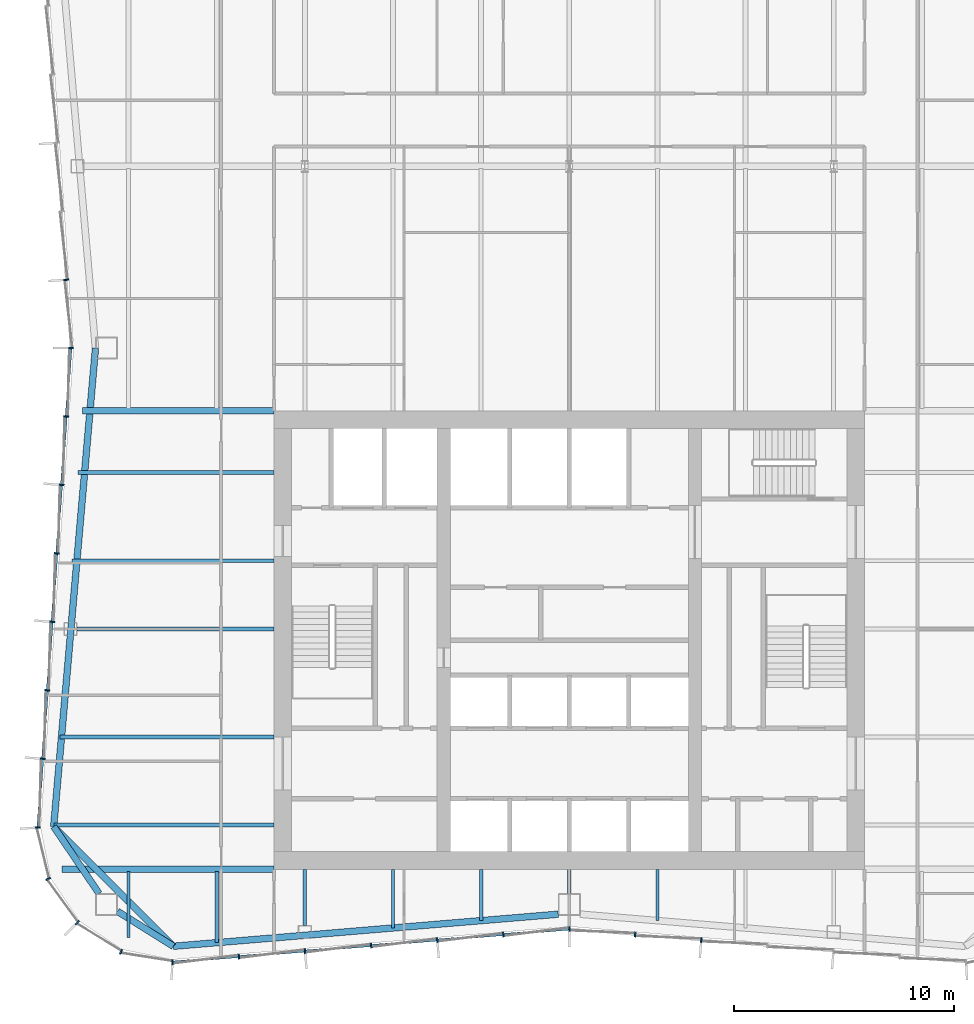
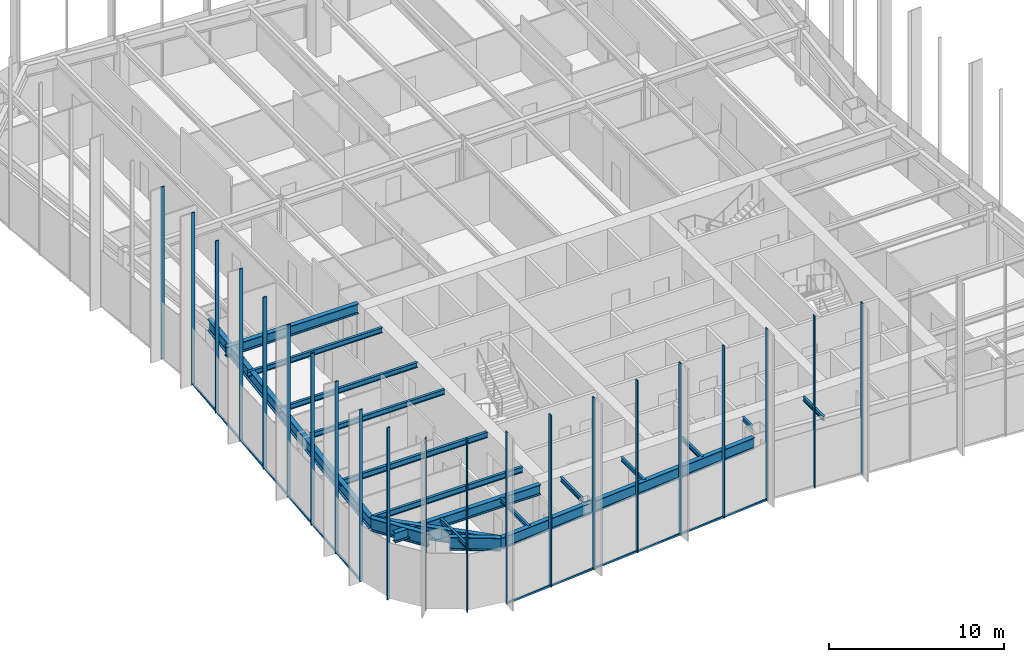
# One storey, part 3 of 15: 23 members, 19 beams, 3 elements without a shape of their own.
"""IFC4 building model written with IfcOpenShell, lengths in metres."""

from ifc_helpers import new_model, si_unit, direction, frame, origin, origin_2d, place, context, subcontext, project, spatial, rectangle, i_section, extrude, material, material_profile, profile_set, type_object, element, aggregate, save


model = new_model("IFC4")

# Units and contexts
model_context = context("Model", 3, precision=1e-05, world=origin(), true_north=direction((0.0, 1.0)))
body_context = subcontext(model_context, "Body", "Model", "MODEL_VIEW")
ifc_project = project(units=[si_unit("LENGTHUNIT", "METRE"), si_unit("AREAUNIT", "SQUARE_METRE"), si_unit("VOLUMEUNIT", "CUBIC_METRE"), si_unit("PLANEANGLEUNIT", "RADIAN"), si_unit("MASSUNIT", "GRAM", prefix="KILO")], contexts=[model_context])

# Site, building, storey
site_placement = place(None, origin())
site = spatial("IfcSite", under=ifc_project, at=site_placement, CompositionType="ELEMENT")
building_placement = place(site_placement, origin())
building = spatial("IfcBuilding", under=site, at=building_placement, Name="Verdant Reach Tower", CompositionType="ELEMENT")
storey_placement = place(building_placement, frame((0.0, 0.0, 250.0)))
storey = spatial("IfcBuildingStorey", under=building, at=storey_placement, Name="L57", CompositionType="ELEMENT", Elevation=250.0)

# Curtain wall, members
ifc_material_1 = material(Name="Anodised aluminium", Category="aluminium")
curtain_wall_type = type_object("IfcCurtainWallType", Name="EN-CW SYSTEM Z4", PredefinedType="NOTDEFINED", material=ifc_material_1)
curtain_wall_1_placement = place(storey_placement, origin())
curtain_wall_1 = element("IfcCurtainWall", 1, at=curtain_wall_1_placement, inside=storey, type_object=curtain_wall_type, Name="Curtain wall west, L57", PredefinedType="NOTDEFINED")
ifc_material_profile_1 = material_profile(ifc_material_1, rectangle(XDim=0.22412109375, YDim=0.068115234375, at=origin_2d()), Name="Mullion 68x224")
ifc_profile_set_1 = profile_set([ifc_material_profile_1], Name="Anodised aluminium")
member_type_1 = type_object("IfcMemberType", Name="EN-MULLION Z4", PredefinedType="MULLION", material=ifc_profile_set_1)
member_1_placement = place(storey_placement, frame((-22.825927734375, 44.349365234375, -0.35009765625), z_axis=(0.0, 0.0, 1.0), x_axis=(-0.997630328423, -0.068802091615, 0.0)))
member_1 = element("IfcMember", 2, at=member_1_placement, type_object=member_type_1, Name="Mullion west face part 1 7, L57", PredefinedType="MULLION", context=body_context, shape_type="SweptSolid", body=[
    extrude(rectangle(XDim=0.22412109375, YDim=0.068115234375, at=origin_2d()), origin(), (0.0, 0.0, 1.0), 12.0),
])
member_2_placement = place(storey_placement, frame((-22.612060546875, 41.25, -0.35009765625), z_axis=(0.0, 0.0, 1.0), x_axis=(-1.0, 0.0, 0.0)))
member_2 = element("IfcMember", 3, at=member_2_placement, type_object=member_type_1, Name="Mullion west face part 2 1, L57", PredefinedType="MULLION", context=body_context, shape_type="SweptSolid", body=[
    extrude(rectangle(XDim=0.22412109375, YDim=0.068115234375, at=origin_2d()), origin(), (0.0, 0.0, 1.0), 12.0),
])
member_3_placement = place(storey_placement, frame((-22.825927734375, 38.150634765625, -0.35009765625), z_axis=(0.0, 0.0, 1.0), x_axis=(-0.997630328423, 0.068802091615, 0.0)))
member_3 = element("IfcMember", 4, at=member_3_placement, type_object=member_type_1, Name="Mullion west face part 2 2, L57", PredefinedType="MULLION", context=body_context, shape_type="SweptSolid", body=[
    extrude(rectangle(XDim=0.22412109375, YDim=0.068115234375, at=origin_2d()), origin(), (0.0, 0.0, 1.0), 12.0),
])
member_4_placement = place(storey_placement, frame((-23.040283203125, 35.04345703125, -0.35009765625), z_axis=(0.0, 0.0, 1.0), x_axis=(-0.997630328423, 0.068802091615, 0.0)))
member_4 = element("IfcMember", 5, at=member_4_placement, type_object=member_type_1, Name="Mullion west face part 2 3, L57", PredefinedType="MULLION", context=body_context, shape_type="SweptSolid", body=[
    extrude(rectangle(XDim=0.22412109375, YDim=0.068115234375, at=origin_2d()), origin(), (0.0, 0.0, 1.0), 12.0),
])
member_5_placement = place(storey_placement, frame((-23.254638671875, 31.936279296875, -0.35009765625), z_axis=(0.0, 0.0, 1.0), x_axis=(-0.997630328423, 0.068802091615, 0.0)))
member_5 = element("IfcMember", 6, at=member_5_placement, type_object=member_type_1, Name="Mullion west face part 2 4, L57", PredefinedType="MULLION", context=body_context, shape_type="SweptSolid", body=[
    extrude(rectangle(XDim=0.22412109375, YDim=0.068115234375, at=origin_2d()), origin(), (0.0, 0.0, 1.0), 12.0),
])
member_6_placement = place(storey_placement, frame((-23.468994140625, 28.8291015625, -0.35009765625), z_axis=(0.0, 0.0, 1.0), x_axis=(-0.997630328423, 0.068802091615, 0.0)))
member_6 = element("IfcMember", 7, at=member_6_placement, type_object=member_type_1, Name="Mullion west face part 2 5, L57", PredefinedType="MULLION", context=body_context, shape_type="SweptSolid", body=[
    extrude(rectangle(XDim=0.22412109375, YDim=0.068115234375, at=origin_2d()), origin(), (0.0, 0.0, 1.0), 12.0),
])
member_7_placement = place(storey_placement, frame((-23.68310546875, 25.721923828125, -0.35009765625), z_axis=(0.0, 0.0, 1.0), x_axis=(-0.997630328423, 0.068802091615, 0.0)))
member_7 = element("IfcMember", 8, at=member_7_placement, type_object=member_type_1, Name="Mullion west face part 2 6, L57", PredefinedType="MULLION", context=body_context, shape_type="SweptSolid", body=[
    extrude(rectangle(XDim=0.22412109375, YDim=0.068115234375, at=origin_2d()), origin(), (0.0, 0.0, 1.0), 12.0),
])
member_8_placement = place(storey_placement, frame((-23.8974609375, 22.61474609375, -0.35009765625), z_axis=(0.0, 0.0, 1.0), x_axis=(-0.997630328423, 0.068802091615, 0.0)))
member_8 = element("IfcMember", 9, at=member_8_placement, type_object=member_type_1, Name="Mullion west face part 2 7, L57", PredefinedType="MULLION", context=body_context, shape_type="SweptSolid", body=[
    extrude(rectangle(XDim=0.22412109375, YDim=0.068115234375, at=origin_2d()), origin(), (0.0, 0.0, 1.0), 12.0),
])

curtain_wall_2_placement = place(storey_placement, origin())
curtain_wall_2 = element("IfcCurtainWall", 10, at=curtain_wall_2_placement, inside=storey, type_object=curtain_wall_type, Name="Curtain wall south-west corner, L57", PredefinedType="NOTDEFINED")
member_9_placement = place(storey_placement, frame((-24.11181640625, 19.492919921875, -0.35009765625), z_axis=(0.0, 0.0, 1.0), x_axis=(-0.997969180898, -0.063698618332, 0.0)))
member_9 = element("IfcMember", 11, at=member_9_placement, type_object=member_type_1, Name="Mullion south-west corner 1, L57", PredefinedType="MULLION", context=body_context, shape_type="SweptSolid", body=[
    extrude(rectangle(XDim=0.22412109375, YDim=0.068115234375, at=origin_2d()), origin(), (0.0, 0.0, 1.0), 12.0),
])
member_10_placement = place(storey_placement, frame((-23.646728515625, 17.1611328125, -0.35009765625), z_axis=(0.0, 0.0, 1.0), x_axis=(-0.923875215753, -0.382693853776, 0.0)))
member_10 = element("IfcMember", 12, at=member_10_placement, type_object=member_type_1, Name="Mullion south-west corner 2, L57", PredefinedType="MULLION", context=body_context, shape_type="SweptSolid", body=[
    extrude(rectangle(XDim=0.22412109375, YDim=0.068115234375, at=origin_2d()), origin(), (0.0, 0.0, 1.0), 12.0),
])
member_11_placement = place(storey_placement, frame((-22.32177734375, 15.17822265625, -0.35009765625), z_axis=(0.0, 0.0, 1.0), x_axis=(-0.707106781187, -0.707106781187, 0.0)))
member_11 = element("IfcMember", 13, at=member_11_placement, type_object=member_type_1, Name="Mullion south-west corner 3, L57", PredefinedType="MULLION", context=body_context, shape_type="SweptSolid", body=[
    extrude(rectangle(XDim=0.22412109375, YDim=0.068115234375, at=origin_2d()), origin(), (0.0, 0.0, 1.0), 12.0),
])
member_12_placement = place(storey_placement, frame((-20.3388671875, 13.853271484375, -0.35009765625), z_axis=(0.0, 0.0, 1.0), x_axis=(-0.382693853776, -0.923875215753, 0.0)))
member_12 = element("IfcMember", 14, at=member_12_placement, type_object=member_type_1, Name="Mullion south-west corner 4, L57", PredefinedType="MULLION", context=body_context, shape_type="SweptSolid", body=[
    extrude(rectangle(XDim=0.22412109375, YDim=0.068115234375, at=origin_2d()), origin(), (0.0, 0.0, 1.0), 12.0),
])
aggregate(curtain_wall_2, [member_9, member_10, member_11, member_12])

curtain_wall_3_placement = place(storey_placement, origin())
curtain_wall_3 = element("IfcCurtainWall", 15, at=curtain_wall_3_placement, inside=storey, type_object=curtain_wall_type, Name="Curtain wall south, L57", PredefinedType="NOTDEFINED")
member_13_placement = place(storey_placement, frame((-18.00634765625, 13.38818359375, -0.35009765625), z_axis=(0.0, 0.0, 1.0), x_axis=(-0.056569187765, -0.998398681387, 0.0)))
member_13 = element("IfcMember", 16, at=member_13_placement, type_object=member_type_1, Name="Mullion south face part 1 1, L57", PredefinedType="MULLION", context=body_context, shape_type="SweptSolid", body=[
    extrude(rectangle(XDim=0.22412109375, YDim=0.068115234375, at=origin_2d()), origin(), (0.0, 0.0, 1.0), 12.0),
])
member_14_placement = place(storey_placement, frame((-14.99072265625, 13.638427734375, -0.35009765625), z_axis=(0.0, 0.0, 1.0), x_axis=(0.083045479859, -0.996545758244, 0.0)))
member_14 = element("IfcMember", 17, at=member_14_placement, type_object=member_type_1, Name="Mullion south face part 1 2, L57", PredefinedType="MULLION", context=body_context, shape_type="SweptSolid", body=[
    extrude(rectangle(XDim=0.22412109375, YDim=0.068115234375, at=origin_2d()), origin(), (0.0, 0.0, 1.0), 12.0),
])
member_15_placement = place(storey_placement, frame((-11.99072265625, 13.888427734375, -0.35009765625), z_axis=(0.0, 0.0, 1.0), x_axis=(0.083045479859, -0.996545758244, 0.0)))
member_15 = element("IfcMember", 18, at=member_15_placement, type_object=member_type_1, Name="Mullion south face part 1 3, L57", PredefinedType="MULLION", context=body_context, shape_type="SweptSolid", body=[
    extrude(rectangle(XDim=0.22412109375, YDim=0.068115234375, at=origin_2d()), origin(), (0.0, 0.0, 1.0), 12.0),
])
member_16_placement = place(storey_placement, frame((-8.99072265625, 14.138427734375, -0.35009765625), z_axis=(0.0, 0.0, 1.0), x_axis=(0.083045479859, -0.996545758244, 0.0)))
member_16 = element("IfcMember", 19, at=member_16_placement, type_object=member_type_1, Name="Mullion south face part 1 4, L57", PredefinedType="MULLION", context=body_context, shape_type="SweptSolid", body=[
    extrude(rectangle(XDim=0.22412109375, YDim=0.068115234375, at=origin_2d()), origin(), (0.0, 0.0, 1.0), 12.0),
])
member_17_placement = place(storey_placement, frame((-5.99072265625, 14.388427734375, -0.35009765625), z_axis=(0.0, 0.0, 1.0), x_axis=(0.083045479859, -0.996545758244, 0.0)))
member_17 = element("IfcMember", 20, at=member_17_placement, type_object=member_type_1, Name="Mullion south face part 1 5, L57", PredefinedType="MULLION", context=body_context, shape_type="SweptSolid", body=[
    extrude(rectangle(XDim=0.22412109375, YDim=0.068115234375, at=origin_2d()), origin(), (0.0, 0.0, 1.0), 12.0),
])
member_18_placement = place(storey_placement, frame((-2.99072265625, 14.638427734375, -0.35009765625), z_axis=(0.0, 0.0, 1.0), x_axis=(0.083045479859, -0.996545758244, 0.0)))
member_18 = element("IfcMember", 21, at=member_18_placement, type_object=member_type_1, Name="Mullion south face part 1 6, L57", PredefinedType="MULLION", context=body_context, shape_type="SweptSolid", body=[
    extrude(rectangle(XDim=0.22412109375, YDim=0.068115234375, at=origin_2d()), origin(), (0.0, 0.0, 1.0), 12.0),
])
member_19_placement = place(storey_placement, frame((0.0, 14.887939453125, -0.35009765625), z_axis=(0.0, 0.0, 1.0), x_axis=(0.0, -1.0, 0.0)))
member_19 = element("IfcMember", 22, at=member_19_placement, type_object=member_type_1, Name="Mullion south face part 2 1, L57", PredefinedType="MULLION", context=body_context, shape_type="SweptSolid", body=[
    extrude(rectangle(XDim=0.22412109375, YDim=0.068115234375, at=origin_2d()), origin(), (0.0, 0.0, 1.0), 12.0),
])
member_20_placement = place(storey_placement, frame((2.99072265625, 14.638427734375, -0.35009765625), z_axis=(0.0, 0.0, 1.0), x_axis=(-0.083045479859, -0.996545758244, 0.0)))
member_20 = element("IfcMember", 23, at=member_20_placement, type_object=member_type_1, Name="Mullion south face part 2 2, L57", PredefinedType="MULLION", context=body_context, shape_type="SweptSolid", body=[
    extrude(rectangle(XDim=0.22412109375, YDim=0.068115234375, at=origin_2d()), origin(), (0.0, 0.0, 1.0), 12.0),
])
member_21_placement = place(storey_placement, frame((5.99072265625, 14.388427734375, -0.35009765625), z_axis=(0.0, 0.0, 1.0), x_axis=(-0.083045479859, -0.996545758244, 0.0)))
member_21 = element("IfcMember", 24, at=member_21_placement, type_object=member_type_1, Name="Mullion south face part 2 3, L57", PredefinedType="MULLION", context=body_context, shape_type="SweptSolid", body=[
    extrude(rectangle(XDim=0.22412109375, YDim=0.068115234375, at=origin_2d()), origin(), (0.0, 0.0, 1.0), 12.0),
])

# Member
ifc_material_profile_2 = material_profile(ifc_material_1, rectangle(XDim=0.10009765625, YDim=0.1279296875, at=origin_2d()), Name="Transom 128x100")
ifc_profile_set_2 = profile_set([ifc_material_profile_2], Name="Anodised aluminium")
member_type_2 = type_object("IfcMemberType", Name="EN-TRANSOM Z4", PredefinedType="USERDEFINED", material=ifc_profile_set_2)
member_22_placement = place(storey_placement, frame((-22.6142578125, 41.216064453125, -0.285888671875), z_axis=(-0.068770489035, -0.997632507408, 0.0), x_axis=(0.997632507408, -0.068770489035, 0.0)))
member_22 = element("IfcMember", 25, at=member_22_placement, type_object=member_type_2, Name="Transom west face part 2 1.1, L57", ObjectType="TRANSOM", PredefinedType="USERDEFINED", context=body_context, shape_type="SweptSolid", body=[
    extrude(rectangle(XDim=0.10009765625, YDim=0.1279296875, at=origin_2d()), origin(), (0.0, 0.0, 1.0), 21.74072265625),
])

aggregate(curtain_wall_1, [member_1, member_2, member_3, member_4, member_5, member_6, member_7, member_8, member_22])

member_23_placement = place(storey_placement, frame((-17.972412109375, 13.39111328125, -0.285888671875), z_axis=(0.996549124771, 0.083005071637, 0.0), x_axis=(-0.083005071637, 0.996549124771, 0.0)))
member_23 = element("IfcMember", 26, at=member_23_placement, type_object=member_type_2, Name="Transom south face part 1 1.1, L57", ObjectType="TRANSOM", PredefinedType="USERDEFINED", context=body_context, shape_type="SweptSolid", body=[
    extrude(rectangle(XDim=0.10009765625, YDim=0.1279296875, at=origin_2d()), origin(), (0.0, 0.0, 1.0), 18.00048828125),
])

aggregate(curtain_wall_3, [member_13, member_14, member_15, member_16, member_17, member_18, member_23, member_19, member_20, member_21])

# Beams
ifc_material_2 = material(Name="Steel S355", Category="steel")
ifc_material_profile_3 = material_profile(ifc_material_2, i_section(OverallWidth=0.300048828125, OverallDepth=0.699951171875, WebThickness=0.01708984375, FlangeThickness=0.031982421875, FilletRadius=0.027099609375, at=origin_2d()), Name="HEB 700")
ifc_profile_set_3 = profile_set([ifc_material_profile_3], Name="Steel S355")
beam_type_1 = type_object("IfcBeamType", Name="ST-BEAM-HEB700", PredefinedType="BEAM", material=ifc_profile_set_3)
beam_1_placement = place(storey_placement, frame((-13.39990234375, 38.39990234375, 3.52001953125), z_axis=(-1.0, 0.0, 0.0), x_axis=(0.0, -1.0, 0.0)))
element("IfcBeam", 27, at=beam_1_placement, inside=storey, type_object=beam_type_1, Name="Trimmer beam, L57", PredefinedType="BEAM", context=body_context, shape_type="SweptSolid", body=[
    extrude(i_section(OverallWidth=0.300048828125, OverallDepth=0.699951171875, WebThickness=0.01708984375, FlangeThickness=0.031982421875, FilletRadius=0.027099609375, at=origin_2d()), origin(), (0.0, 0.0, 1.0), 8.6953125),
])
beam_2_placement = place(storey_placement, frame((-13.39990234375, 17.60009765625, 3.52001953125), z_axis=(-1.0, 0.0, 0.0), x_axis=(0.0, -1.0, 0.0)))
element("IfcBeam", 28, at=beam_2_placement, inside=storey, type_object=beam_type_1, Name="Trimmer beam, L57", PredefinedType="BEAM", context=body_context, shape_type="SweptSolid", body=[
    extrude(i_section(OverallWidth=0.300048828125, OverallDepth=0.699951171875, WebThickness=0.01708984375, FlangeThickness=0.031982421875, FilletRadius=0.027099609375, at=origin_2d()), origin(), (0.0, 0.0, 1.0), 9.6103515625),
])
ifc_material_profile_4 = material_profile(ifc_material_2, i_section(OverallWidth=0.302001953125, OverallDepth=0.909912109375, WebThickness=0.02099609375, FlangeThickness=0.0400390625, FilletRadius=0.030029296875, at=origin_2d()), Name="HEM 900")
ifc_profile_set_4 = profile_set([ifc_material_profile_4], Name="Steel S355")
beam_type_2 = type_object("IfcBeamType", Name="ST-BEAM-HEM900", PredefinedType="BEAM", material=ifc_profile_set_4)
beam_3_placement = place(storey_placement, frame((-20.5, 15.687744140625, 3.4150390625), z_axis=(0.848163521635, -0.529734500073, 0.0), x_axis=(0.529734500073, 0.848163521635, 0.0)))
element("IfcBeam", 29, at=beam_3_placement, inside=storey, type_object=beam_type_2, Name="Column stub beam, L57", PredefinedType="BEAM", context=body_context, shape_type="SweptSolid", body=[
    extrude(i_section(OverallWidth=0.302001953125, OverallDepth=0.909912109375, WebThickness=0.02099609375, FlangeThickness=0.0400390625, FilletRadius=0.030029296875, at=origin_2d()), origin(), (0.0, 0.0, 1.0), 2.98779296875),
])
beam_4_placement = place(storey_placement, frame((-21.33837890625, 16.5, 3.4150390625), z_axis=(-0.560703975309, 0.828016335631, 0.0), x_axis=(-0.828016335631, -0.560703975309, 0.0)))
element("IfcBeam", 30, at=beam_4_placement, inside=storey, type_object=beam_type_2, Name="Column stub beam, L57", PredefinedType="BEAM", context=body_context, shape_type="SweptSolid", body=[
    extrude(i_section(OverallWidth=0.302001953125, OverallDepth=0.909912109375, WebThickness=0.02099609375, FlangeThickness=0.0400390625, FilletRadius=0.030029296875, at=origin_2d()), origin(), (0.0, 0.0, 1.0), 3.669677734375),
])
ifc_material_profile_5 = material_profile(ifc_material_2, i_section(OverallWidth=0.14990234375, OverallDepth=0.300048828125, WebThickness=0.007080078125, FlangeThickness=0.0107421875, FilletRadius=0.014892578125, at=origin_2d()), Name="IPE 300")
ifc_profile_set_5 = profile_set([ifc_material_profile_5], Name="Steel S355")
beam_type_3 = type_object("IfcBeamType", Name="ST-JOIST-IPE300", PredefinedType="JOIST", material=ifc_profile_set_5)
beam_5_placement = place(storey_placement, frame((-20.0, 17.5, 3.719970703125), z_axis=(0.0, -1.0, 0.0), x_axis=(1.0, 0.0, 0.0)))
element("IfcBeam", 31, at=beam_5_placement, inside=storey, type_object=beam_type_3, Name="Floor joist, L57", PredefinedType="JOIST", context=body_context, shape_type="SweptSolid", body=[
    extrude(i_section(OverallWidth=0.14990234375, OverallDepth=0.300048828125, WebThickness=0.007080078125, FlangeThickness=0.0107421875, FilletRadius=0.014892578125, at=origin_2d()), origin(), (0.0, 0.0, 1.0), 2.990478515625),
])
beam_6_placement = place(storey_placement, frame((-16.0, 17.5, 3.719970703125), z_axis=(0.0, -1.0, 0.0), x_axis=(1.0, 0.0, 0.0)))
element("IfcBeam", 32, at=beam_6_placement, inside=storey, type_object=beam_type_3, Name="Floor joist, L57", PredefinedType="JOIST", context=body_context, shape_type="SweptSolid", body=[
    extrude(i_section(OverallWidth=0.14990234375, OverallDepth=0.300048828125, WebThickness=0.007080078125, FlangeThickness=0.0107421875, FilletRadius=0.014892578125, at=origin_2d()), origin(), (0.0, 0.0, 1.0), 3.231201171875),
])
beam_7_placement = place(storey_placement, frame((-12.0, 17.60009765625, 3.719970703125), z_axis=(0.0, -1.0, 0.0), x_axis=(1.0, 0.0, 0.0)))
element("IfcBeam", 33, at=beam_7_placement, inside=storey, type_object=beam_type_3, Name="Floor joist, L57", PredefinedType="JOIST", context=body_context, shape_type="SweptSolid", body=[
    extrude(i_section(OverallWidth=0.14990234375, OverallDepth=0.300048828125, WebThickness=0.007080078125, FlangeThickness=0.0107421875, FilletRadius=0.014892578125, at=origin_2d()), origin(), (0.0, 0.0, 1.0), 2.550048828125),
])
beam_8_placement = place(storey_placement, frame((-8.0, 17.60009765625, 3.719970703125), z_axis=(0.0, -1.0, 0.0), x_axis=(1.0, 0.0, 0.0)))
element("IfcBeam", 34, at=beam_8_placement, inside=storey, type_object=beam_type_3, Name="Floor joist, L57", PredefinedType="JOIST", context=body_context, shape_type="SweptSolid", body=[
    extrude(i_section(OverallWidth=0.14990234375, OverallDepth=0.300048828125, WebThickness=0.007080078125, FlangeThickness=0.0107421875, FilletRadius=0.014892578125, at=origin_2d()), origin(), (0.0, 0.0, 1.0), 2.664794921875),
])
beam_9_placement = place(storey_placement, frame((-4.0, 17.60009765625, 3.719970703125), z_axis=(0.0, -1.0, 0.0), x_axis=(1.0, 0.0, 0.0)))
element("IfcBeam", 35, at=beam_9_placement, inside=storey, type_object=beam_type_3, Name="Floor joist, L57", PredefinedType="JOIST", context=body_context, shape_type="SweptSolid", body=[
    extrude(i_section(OverallWidth=0.14990234375, OverallDepth=0.300048828125, WebThickness=0.007080078125, FlangeThickness=0.0107421875, FilletRadius=0.014892578125, at=origin_2d()), origin(), (0.0, 0.0, 1.0), 2.331298828125),
])
beam_10_placement = place(storey_placement, frame((0.0, 17.60009765625, 3.719970703125), z_axis=(0.0, -1.0, 0.0), x_axis=(1.0, 0.0, 0.0)))
element("IfcBeam", 36, at=beam_10_placement, inside=storey, type_object=beam_type_3, Name="Floor joist, L57", PredefinedType="JOIST", context=body_context, shape_type="SweptSolid", body=[
    extrude(i_section(OverallWidth=0.14990234375, OverallDepth=0.300048828125, WebThickness=0.007080078125, FlangeThickness=0.0107421875, FilletRadius=0.014892578125, at=origin_2d()), origin(), (0.0, 0.0, 1.0), 1.10009765625),
])
beam_11_placement = place(storey_placement, frame((4.0, 17.60009765625, 3.719970703125), z_axis=(0.0, -1.0, 0.0), x_axis=(1.0, 0.0, 0.0)))
element("IfcBeam", 37, at=beam_11_placement, inside=storey, type_object=beam_type_3, Name="Floor joist, L57", PredefinedType="JOIST", context=body_context, shape_type="SweptSolid", body=[
    extrude(i_section(OverallWidth=0.14990234375, OverallDepth=0.300048828125, WebThickness=0.007080078125, FlangeThickness=0.0107421875, FilletRadius=0.014892578125, at=origin_2d()), origin(), (0.0, 0.0, 1.0), 2.331298828125),
])
ifc_material_profile_6 = material_profile(ifc_material_2, i_section(OverallWidth=0.169921875, OverallDepth=0.360107421875, WebThickness=0.008056640625, FlangeThickness=0.0126953125, FilletRadius=0.01806640625, at=origin_2d()), Name="IPE 360")
ifc_profile_set_6 = profile_set([ifc_material_profile_6], Name="Steel S355")
beam_type_4 = type_object("IfcBeamType", Name="ST-JOIST-IPE360", PredefinedType="JOIST", material=ifc_profile_set_6)
beam_12_placement = place(storey_placement, frame((-13.39990234375, 28.5, 3.68994140625), z_axis=(-1.0, 0.0, 0.0), x_axis=(0.0, -1.0, 0.0)))
element("IfcBeam", 38, at=beam_12_placement, inside=storey, type_object=beam_type_4, Name="Floor joist, L57", PredefinedType="JOIST", context=body_context, shape_type="SweptSolid", body=[
    extrude(i_section(OverallWidth=0.169921875, OverallDepth=0.360107421875, WebThickness=0.008056640625, FlangeThickness=0.0126953125, FilletRadius=0.01806640625, at=origin_2d()), origin(), (0.0, 0.0, 1.0), 8.929443359375),
])
beam_13_placement = place(storey_placement, frame((-13.39990234375, 31.60009765625, 3.68994140625), z_axis=(-1.0, 0.0, 0.0), x_axis=(0.0, -1.0, 0.0)))
element("IfcBeam", 39, at=beam_13_placement, inside=storey, type_object=beam_type_4, Name="Floor joist, L57", PredefinedType="JOIST", context=body_context, shape_type="SweptSolid", body=[
    extrude(i_section(OverallWidth=0.169921875, OverallDepth=0.360107421875, WebThickness=0.008056640625, FlangeThickness=0.0126953125, FilletRadius=0.01806640625, at=origin_2d()), origin(), (0.0, 0.0, 1.0), 9.164306640625),
])
beam_14_placement = place(storey_placement, frame((-13.39990234375, 35.60009765625, 3.68994140625), z_axis=(-1.0, 0.0, 0.0), x_axis=(0.0, -1.0, 0.0)))
element("IfcBeam", 40, at=beam_14_placement, inside=storey, type_object=beam_type_4, Name="Floor joist, L57", PredefinedType="JOIST", context=body_context, shape_type="SweptSolid", body=[
    extrude(i_section(OverallWidth=0.169921875, OverallDepth=0.360107421875, WebThickness=0.008056640625, FlangeThickness=0.0126953125, FilletRadius=0.01806640625, at=origin_2d()), origin(), (0.0, 0.0, 1.0), 8.88818359375),
])
ifc_material_profile_7 = material_profile(ifc_material_2, i_section(OverallWidth=0.179931640625, OverallDepth=0.39990234375, WebThickness=0.008544921875, FlangeThickness=0.013427734375, FilletRadius=0.02099609375, at=origin_2d()), Name="IPE 400")
ifc_profile_set_7 = profile_set([ifc_material_profile_7], Name="Steel S355")
beam_type_5 = type_object("IfcBeamType", Name="ST-JOIST-IPE400", PredefinedType="JOIST", material=ifc_profile_set_7)
beam_15_placement = place(storey_placement, frame((-13.39990234375, 19.60009765625, 3.669921875), z_axis=(-1.0, 0.0, 0.0), x_axis=(0.0, -1.0, 0.0)))
element("IfcBeam", 41, at=beam_15_placement, inside=storey, type_object=beam_type_5, Name="Floor joist, L57", PredefinedType="JOIST", context=body_context, shape_type="SweptSolid", body=[
    extrude(i_section(OverallWidth=0.179931640625, OverallDepth=0.39990234375, WebThickness=0.008544921875, FlangeThickness=0.013427734375, FilletRadius=0.02099609375, at=origin_2d()), origin(), (0.0, 0.0, 1.0), 9.99169921875),
])
beam_16_placement = place(storey_placement, frame((-13.39990234375, 23.60009765625, 3.669921875), z_axis=(-1.0, 0.0, 0.0), x_axis=(0.0, -1.0, 0.0)))
element("IfcBeam", 42, at=beam_16_placement, inside=storey, type_object=beam_type_5, Name="Floor joist, L57", PredefinedType="JOIST", context=body_context, shape_type="SweptSolid", body=[
    extrude(i_section(OverallWidth=0.179931640625, OverallDepth=0.39990234375, WebThickness=0.008544921875, FlangeThickness=0.013427734375, FilletRadius=0.02099609375, at=origin_2d()), origin(), (0.0, 0.0, 1.0), 9.7158203125),
])
ifc_material_profile_8 = material_profile(ifc_material_2, i_section(OverallWidth=0.300048828125, OverallDepth=0.800048828125, WebThickness=0.017578125, FlangeThickness=0.032958984375, FilletRadius=0.030029296875, at=origin_2d()), Name="HEB 800")
ifc_profile_set_8 = profile_set([ifc_material_profile_8], Name="Steel S355")
beam_type_6 = type_object("IfcBeamType", Name="ST-SPANDREL-HEB800", PredefinedType="SPANDREL", material=ifc_profile_set_8)
beam_17_placement = place(storey_placement, frame((-0.5, 15.560302734375, 3.469970703125), z_axis=(-0.99654652675, -0.083036257282, 0.0), x_axis=(0.083036257282, -0.99654652675, 0.0)))
element("IfcBeam", 43, at=beam_17_placement, inside=storey, type_object=beam_type_6, Name="Edge beam, L57", PredefinedType="SPANDREL", context=body_context, shape_type="SweptSolid", body=[
    extrude(i_section(OverallWidth=0.300048828125, OverallDepth=0.800048828125, WebThickness=0.017578125, FlangeThickness=0.032958984375, FilletRadius=0.030029296875, at=origin_2d()), origin(), (0.0, 0.0, 1.0), 17.5263671875),
])
beam_18_placement = place(storey_placement, frame((-23.39599609375, 19.53857421875, 3.469970703125), z_axis=(0.086996024331, 0.996208658741, 0.0), x_axis=(-0.996208658741, 0.086996024331, 0.0)))
element("IfcBeam", 44, at=beam_18_placement, inside=storey, type_object=beam_type_6, Name="Edge beam, L57", PredefinedType="SPANDREL", context=body_context, shape_type="SweptSolid", body=[
    extrude(i_section(OverallWidth=0.300048828125, OverallDepth=0.800048828125, WebThickness=0.017578125, FlangeThickness=0.032958984375, FilletRadius=0.030029296875, at=origin_2d()), origin(), (0.0, 0.0, 1.0), 21.7939453125),
])
ifc_material_profile_9 = material_profile(ifc_material_2, i_section(OverallWidth=0.302001953125, OverallDepth=0.909912109375, WebThickness=0.02099609375, FlangeThickness=0.0400390625, FilletRadius=0.030029296875, at=origin_2d()), Name="HEM 900")
ifc_profile_set_9 = profile_set([ifc_material_profile_9], Name="Steel S355")
beam_type_7 = type_object("IfcBeamType", Name="ST-SPANDREL-HEM900", PredefinedType="SPANDREL", material=ifc_profile_set_9)
beam_19_placement = place(storey_placement, frame((-17.9658203125, 14.10498046875, 3.4150390625), z_axis=(-0.706884275642, 0.707329216738, 0.0), x_axis=(-0.707329216738, -0.706884275642, 0.0)))
element("IfcBeam", 45, at=beam_19_placement, inside=storey, type_object=beam_type_7, Name="Edge beam, L57", PredefinedType="SPANDREL", context=body_context, shape_type="SweptSolid", body=[
    extrude(i_section(OverallWidth=0.302001953125, OverallDepth=0.909912109375, WebThickness=0.02099609375, FlangeThickness=0.0400390625, FilletRadius=0.030029296875, at=origin_2d()), origin(), (0.0, 0.0, 1.0), 7.681884765625),
])

save(model, "model.ifc")
